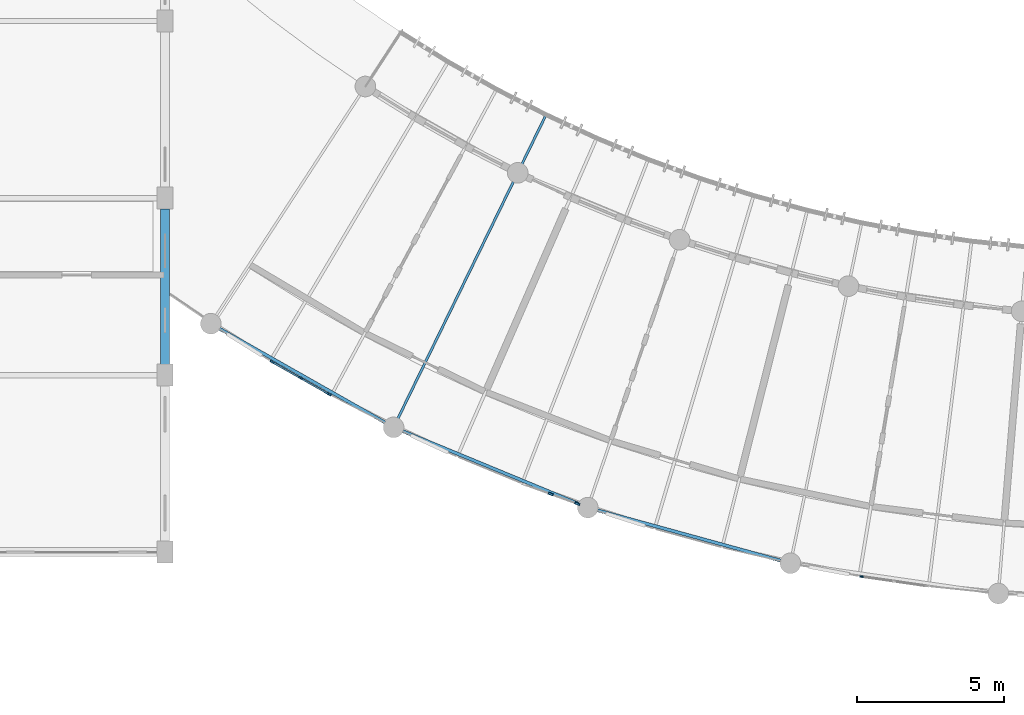
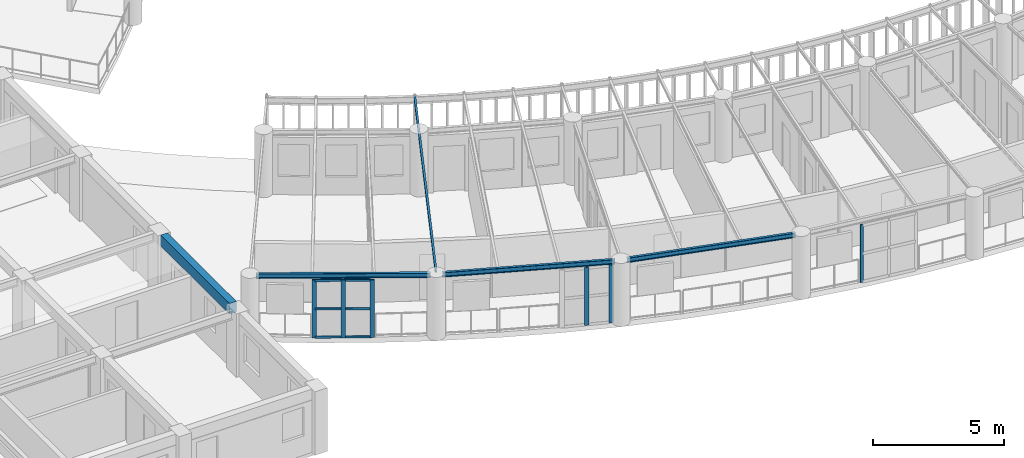
# One storey, part 3 of 100: 12 members, 5 beams, 3 elements without a shape of their own.
"""IFC4 building model written with IfcOpenShell, lengths in metres."""

from ifc_helpers import new_model, si_unit, direction, frame, origin, origin_2d, place, context, subcontext, project, spatial, rectangle, i_section, extrude, material, layer, layer_set, material_profile, profile_set, type_object, element, aggregate, save


model = new_model("IFC4")

# Units and contexts
model_context = context("Model", 3, precision=1e-05, world=origin(), true_north=direction((0.0, 1.0)))
body_context = subcontext(model_context, "Body", "Model", "MODEL_VIEW")
ifc_project = project(units=[si_unit("LENGTHUNIT", "METRE"), si_unit("AREAUNIT", "SQUARE_METRE"), si_unit("VOLUMEUNIT", "CUBIC_METRE"), si_unit("PLANEANGLEUNIT", "RADIAN"), si_unit("MASSUNIT", "GRAM", prefix="KILO"), si_unit("POWERUNIT", "WATT"), si_unit("THERMODYNAMICTEMPERATUREUNIT", "KELVIN")], contexts=[model_context])

# Site, building, storey
site_placement = place(None, origin())
site = spatial("IfcSite", under=ifc_project, at=site_placement, CompositionType="ELEMENT")
building_placement = place(site_placement, origin())
building = spatial("IfcBuilding", under=site, at=building_placement, Name="Ruvembo Vaulted Housing Court", CompositionType="ELEMENT")
storey_placement = place(building_placement, frame((0.0, 0.0, 10.89990234375)))
storey = spatial("IfcBuildingStorey", under=building, at=storey_placement, Name="L03", CompositionType="ELEMENT", Elevation=10.89990234375)

# Beams
ifc_material_1 = material(Name="Steel S355J2", Category="steel")
ifc_material_profile_1 = material_profile(ifc_material_1, i_section(OverallWidth=0.08203125, OverallDepth=0.159912109375, WebThickness=0.0048828125, FlangeThickness=0.00732421875, FilletRadius=0.009033203125, at=origin_2d()), Name="IPE 160")
ifc_profile_set_1 = profile_set([ifc_material_profile_1], Name="Steel S355J2")
beam_type_1 = type_object("IfcBeamType", Name="BM-ST-IPE160", PredefinedType="JOIST", material=ifc_profile_set_1)
beam_1_placement = place(storey_placement, frame((43.8505859375, 10.436279296875, 2.860107421875), z_axis=(0.438385100915, 0.898787240283, 0.0), x_axis=(-0.898787240283, 0.438385100915, 0.0)))
element("IfcBeam", 1, at=beam_1_placement, inside=storey, type_object=beam_type_1, Name="Scoop SC2 L03 Radial Steel Joist 3", PredefinedType="JOIST", context=body_context, shape_type="SweptSolid", body=[
    extrude(i_section(OverallWidth=0.08203125, OverallDepth=0.159912109375, WebThickness=0.0048828125, FlangeThickness=0.00732421875, FilletRadius=0.009033203125, at=origin_2d()), origin(), (0.0, 0.0, 1.0), 11.60986328125),
])
ifc_material_profile_2 = material_profile(ifc_material_1, i_section(OverallWidth=0.110107421875, OverallDepth=0.219970703125, WebThickness=0.005859375, FlangeThickness=0.00927734375, FilletRadius=0.011962890625, at=origin_2d()), Name="IPE 220")
ifc_profile_set_2 = profile_set([ifc_material_profile_2], Name="Steel S355J2")
beam_type_2 = type_object("IfcBeamType", Name="BM-ST-IPE220", PredefinedType="SPANDREL", material=ifc_profile_set_2)
for number, where, z_axis, x_axis, name in (
    (2, (37.752197265625, 13.62890625, 2.83203125), (0.869984993181, -0.493078200329, 0.0), (0.493078200329, 0.869984993181, 0.0), "Scoop SC2 L03 Chord Girder B0"),
    (3, (43.96240234375, 10.1416015625, 2.83203125), (0.924176536215, -0.381965613517, 0.0), (0.381965613517, 0.924176536215, 0.0), "Scoop SC2 L03 Chord Girder B3"),
):
    element("IfcBeam", number, at=place(storey_placement, frame(where, z_axis=z_axis, x_axis=x_axis)), inside=storey, type_object=beam_type_2, Name=name, PredefinedType="SPANDREL", context=body_context, shape_type="SweptSolid", body=[
        extrude(i_section(OverallWidth=0.110107421875, OverallDepth=0.219970703125, WebThickness=0.005859375, FlangeThickness=0.00927734375, FilletRadius=0.011962890625, at=origin_2d()), origin(), (0.0, 0.0, 1.0), 6.6640625),
    ])
beam_2_placement = place(storey_placement, frame((50.555419921875, 7.447509765625, 2.83203125), z_axis=(0.964261570592, -0.264952115445, 0.0), x_axis=(0.264952115445, 0.964261570592, 0.0)))
element("IfcBeam", 4, at=beam_2_placement, inside=storey, type_object=beam_type_2, Name="Scoop SC2 L03 Chord Girder B6", PredefinedType="SPANDREL", context=body_context, shape_type="SweptSolid", body=[
    extrude(i_section(OverallWidth=0.110107421875, OverallDepth=0.219970703125, WebThickness=0.005859375, FlangeThickness=0.00927734375, FilletRadius=0.011962890625, at=origin_2d()), origin(), (0.0, 0.0, 1.0), 6.663818359375),
])

# Curtain wall, member
ifc_material_2 = material(Name="Anodised Aluminium and Solar-Control Glass", Category="aluminium")
ifc_layer_1 = layer(ifc_material_2, 0.139892578125, Name="Anodised Aluminium and Solar-Control Glass")
ifc_layer_set_1 = layer_set([ifc_layer_1], Name="Anodised Aluminium and Solar-Control Glass")
curtain_wall_type_1 = type_object("IfcCurtainWallType", Name="CW-SCOOP-PAN", PredefinedType="NOTDEFINED", material=ifc_layer_set_1)
curtain_wall_1_placement = place(storey_placement, origin())
curtain_wall_1 = element("IfcCurtainWall", 5, at=curtain_wall_1_placement, inside=storey, type_object=curtain_wall_type_1, Name="L03 Curtain Wall CW-L03-0043", PredefinedType="NOTDEFINED")
ifc_material_3 = material(Name="Anodised Aluminium 6063-T6", Category="aluminium")
ifc_material_profile_3 = material_profile(ifc_material_3, rectangle(XDim=0.054931640625, YDim=0.1201171875, at=origin_2d()), Name="ALU 55x120")
ifc_profile_set_3 = profile_set([ifc_material_profile_3], Name="Anodised Aluminium 6063-T6")
member_type_1 = type_object("IfcMemberType", Name="CW-MUL-55x120", PredefinedType="MULLION", material=ifc_profile_set_3)
member_1_placement = place(storey_placement, frame((59.614990234375, 5.171142578125, 0.0), z_axis=(0.0, 0.0, 1.0), x_axis=(0.143850661969, 0.989599407362, 0.0)))
member_1 = element("IfcMember", 6, at=member_1_placement, type_object=member_type_1, Name="CW10 mullion 1", PredefinedType="MULLION", context=body_context, shape_type="SweptSolid", body=[
    extrude(rectangle(XDim=0.054931640625, YDim=0.1201171875, at=origin_2d()), origin(), (0.0, 0.0, 1.0), 2.697998046875),
])
aggregate(curtain_wall_1, [member_1])

# Curtain wall, members
ifc_layer_2 = layer(ifc_material_2, 0.1201171875, Name="Anodised Aluminium and Solar-Control Glass")
ifc_layer_set_2 = layer_set([ifc_layer_2], Name="Anodised Aluminium and Solar-Control Glass")
curtain_wall_type_2 = type_object("IfcCurtainWallType", Name="CW-SCOOP-GAL", PredefinedType="NOTDEFINED", material=ifc_layer_set_2)
curtain_wall_2_placement = place(storey_placement, origin())
curtain_wall_2 = element("IfcCurtainWall", 7, at=curtain_wall_2_placement, inside=storey, type_object=curtain_wall_type_2, Name="L03 Curtain Wall CW-L03-0042", PredefinedType="NOTDEFINED")
ifc_material_profile_4 = material_profile(ifc_material_3, rectangle(XDim=0.06494140625, YDim=0.179931640625, at=origin_2d()), Name="ALU 65x180")
ifc_profile_set_4 = profile_set([ifc_material_profile_4], Name="Anodised Aluminium 6063-T6")
member_type_2 = type_object("IfcMemberType", Name="CW-MUL-65x180", PredefinedType="MULLION", material=ifc_profile_set_4)
member_2_placement = place(storey_placement, frame((49.0771484375, 7.968017578125, 0.0), z_axis=(0.0, 0.0, 1.0), x_axis=(0.343530364672, 0.939141570025, 0.0)))
member_2 = element("IfcMember", 8, at=member_2_placement, type_object=member_type_2, Name="CW6 mullion 2", PredefinedType="MULLION", context=body_context, shape_type="SweptSolid", body=[
    extrude(rectangle(XDim=0.06494140625, YDim=0.179931640625, at=origin_2d()), origin(), (0.0, 0.0, 1.0), 2.697998046875),
])
member_3_placement = place(storey_placement, frame((49.974365234375, 7.6396484375, 0.0), z_axis=(0.0, 0.0, 1.0), x_axis=(0.343530364672, 0.939141570025, 0.0)))
member_3 = element("IfcMember", 9, at=member_3_placement, type_object=member_type_2, Name="CW6 mullion 3", PredefinedType="MULLION", context=body_context, shape_type="SweptSolid", body=[
    extrude(rectangle(XDim=0.06494140625, YDim=0.179931640625, at=origin_2d()), origin(), (0.0, 0.0, 1.0), 2.697998046875),
])
aggregate(curtain_wall_2, [member_2, member_3])

curtain_wall_3_placement = place(storey_placement, origin())
curtain_wall_3 = element("IfcCurtainWall", 10, at=curtain_wall_3_placement, inside=storey, type_object=curtain_wall_type_2, Name="L03 Curtain Wall CW-L03-0041", PredefinedType="NOTDEFINED")
ifc_material_profile_5 = material_profile(ifc_material_3, rectangle(XDim=0.06005859375, YDim=0.159912109375, at=origin_2d()), Name="ALU 60x160")
ifc_profile_set_5 = profile_set([ifc_material_profile_5], Name="Anodised Aluminium 6063-T6")
member_type_3 = type_object("IfcMemberType", Name="CW-MULLION-65x150", PredefinedType="MULLION", material=ifc_profile_set_5)
member_4_placement = place(storey_placement, frame((39.638916015625, 12.447021484375, 0.0), z_axis=(0.0, 0.0, 1.0), x_axis=(0.493079088202, 0.869984489964, 0.0)))
member_4 = element("IfcMember", 11, at=member_4_placement, type_object=member_type_3, Name="CW6 mullion 1", PredefinedType="MULLION", context=body_context, shape_type="SweptSolid", body=[
    extrude(rectangle(XDim=0.06005859375, YDim=0.159912109375, at=origin_2d()), origin(), (0.0, 0.0, 1.0), 2.697998046875),
])
member_5_placement = place(storey_placement, frame((40.602783203125, 11.900634765625, 0.0), z_axis=(0.0, 0.0, 1.0), x_axis=(0.493079088202, 0.869984489964, 0.0)))
member_5 = element("IfcMember", 12, at=member_5_placement, type_object=member_type_3, Name="CW6 mullion 2", PredefinedType="MULLION", context=body_context, shape_type="SweptSolid", body=[
    extrude(rectangle(XDim=0.06005859375, YDim=0.159912109375, at=origin_2d()), origin(), (0.0, 0.0, 1.0), 2.697998046875),
])
member_6_placement = place(storey_placement, frame((41.566650390625, 11.3544921875, 0.0), z_axis=(0.0, 0.0, 1.0), x_axis=(0.493079088202, 0.869984489964, 0.0)))
member_6 = element("IfcMember", 13, at=member_6_placement, type_object=member_type_3, Name="CW6 mullion 3", PredefinedType="MULLION", context=body_context, shape_type="SweptSolid", body=[
    extrude(rectangle(XDim=0.06005859375, YDim=0.159912109375, at=origin_2d()), origin(), (0.0, 0.0, 1.0), 2.697998046875),
])
ifc_material_profile_6 = material_profile(ifc_material_3, rectangle(XDim=0.06005859375, YDim=0.10009765625, at=origin_2d()), Name="ALU 60x100")
ifc_profile_set_6 = profile_set([ifc_material_profile_6], Name="Anodised Aluminium 6063-T6")
member_type_4 = type_object("IfcMemberType", Name="CW-TRN-60x100", PredefinedType="USERDEFINED", material=ifc_profile_set_6)
member_7_placement = place(storey_placement, frame((39.664794921875, 12.43212890625, 0.030029296875), z_axis=(0.870072141445, -0.492924404631, 0.0), x_axis=(0.492924404631, 0.870072141445, 0.0)))
member_7 = element("IfcMember", 14, at=member_7_placement, type_object=member_type_4, Name="CW6 transom 1.1", ObjectType="TRANSOM", PredefinedType="USERDEFINED", context=body_context, shape_type="SweptSolid", body=[
    extrude(rectangle(XDim=0.06005859375, YDim=0.10009765625, at=origin_2d()), origin(), (0.0, 0.0, 1.0), 1.048095703125),
])
member_8_placement = place(storey_placement, frame((39.664794921875, 12.43212890625, 1.34912109375), z_axis=(0.870072141445, -0.492924404631, 0.0), x_axis=(0.492924404631, 0.870072141445, 0.0)))
member_8 = element("IfcMember", 15, at=member_8_placement, type_object=member_type_4, Name="CW6 transom 1.2", ObjectType="TRANSOM", PredefinedType="USERDEFINED", context=body_context, shape_type="SweptSolid", body=[
    extrude(rectangle(XDim=0.06005859375, YDim=0.10009765625, at=origin_2d()), origin(), (0.0, 0.0, 1.0), 1.048095703125),
])
member_9_placement = place(storey_placement, frame((39.664794921875, 12.43212890625, 2.668212890625), z_axis=(0.870072141445, -0.492924404631, 0.0), x_axis=(0.492924404631, 0.870072141445, 0.0)))
member_9 = element("IfcMember", 16, at=member_9_placement, type_object=member_type_4, Name="CW6 transom 1.3", ObjectType="TRANSOM", PredefinedType="USERDEFINED", context=body_context, shape_type="SweptSolid", body=[
    extrude(rectangle(XDim=0.06005859375, YDim=0.10009765625, at=origin_2d()), origin(), (0.0, 0.0, 1.0), 1.048095703125),
])
member_10_placement = place(storey_placement, frame((40.62890625, 11.885986328125, 0.030029296875), z_axis=(0.869915574686, -0.49320066192, 0.0), x_axis=(0.49320066192, 0.869915574686, 0.0)))
member_10 = element("IfcMember", 17, at=member_10_placement, type_object=member_type_4, Name="CW6 transom 2.1", ObjectType="TRANSOM", PredefinedType="USERDEFINED", context=body_context, shape_type="SweptSolid", body=[
    extrude(rectangle(XDim=0.06005859375, YDim=0.10009765625, at=origin_2d()), origin(), (0.0, 0.0, 1.0), 1.0478515625),
])
member_11_placement = place(storey_placement, frame((40.62890625, 11.885986328125, 1.34912109375), z_axis=(0.869915574686, -0.49320066192, 0.0), x_axis=(0.49320066192, 0.869915574686, 0.0)))
member_11 = element("IfcMember", 18, at=member_11_placement, type_object=member_type_4, Name="CW6 transom 2.2", ObjectType="TRANSOM", PredefinedType="USERDEFINED", context=body_context, shape_type="SweptSolid", body=[
    extrude(rectangle(XDim=0.06005859375, YDim=0.10009765625, at=origin_2d()), origin(), (0.0, 0.0, 1.0), 1.0478515625),
])
member_12_placement = place(storey_placement, frame((40.62890625, 11.885986328125, 2.668212890625), z_axis=(0.869915574686, -0.49320066192, 0.0), x_axis=(0.49320066192, 0.869915574686, 0.0)))
member_12 = element("IfcMember", 19, at=member_12_placement, type_object=member_type_4, Name="CW6 transom 2.3", ObjectType="TRANSOM", PredefinedType="USERDEFINED", context=body_context, shape_type="SweptSolid", body=[
    extrude(rectangle(XDim=0.06005859375, YDim=0.10009765625, at=origin_2d()), origin(), (0.0, 0.0, 1.0), 1.0478515625),
])
aggregate(curtain_wall_3, [member_4, member_5, member_6, member_7, member_8, member_9, member_10, member_11, member_12])

# Beam
ifc_material_4 = material(Name="Concrete C35/45", Category="concrete")
ifc_material_profile_7 = material_profile(ifc_material_4, rectangle(XDim=0.300048828125, YDim=0.5, at=origin_2d()), Name="RC 300x500")
ifc_profile_set_7 = profile_set([ifc_material_profile_7], Name="Concrete C35/45")
beam_type_3 = type_object("IfcBeamType", Name="SP-RC-300x500", PredefinedType="SPANDREL", material=ifc_profile_set_7)
beam_3_placement = place(storey_placement, frame((36.0, 12.360107421875, 2.710205078125), z_axis=(0.0, 1.0, 0.0), x_axis=(-1.0, 0.0, 0.0)))
element("IfcBeam", 20, at=beam_3_placement, inside=storey, type_object=beam_type_3, Name="L03 Grid Beam Y #1887", PredefinedType="SPANDREL", context=body_context, shape_type="SweptSolid", body=[
    extrude(rectangle(XDim=0.300048828125, YDim=0.5, at=origin_2d()), origin(), (0.0, 0.0, 1.0), 5.27978515625),
])

save(model, "model.ifc")
